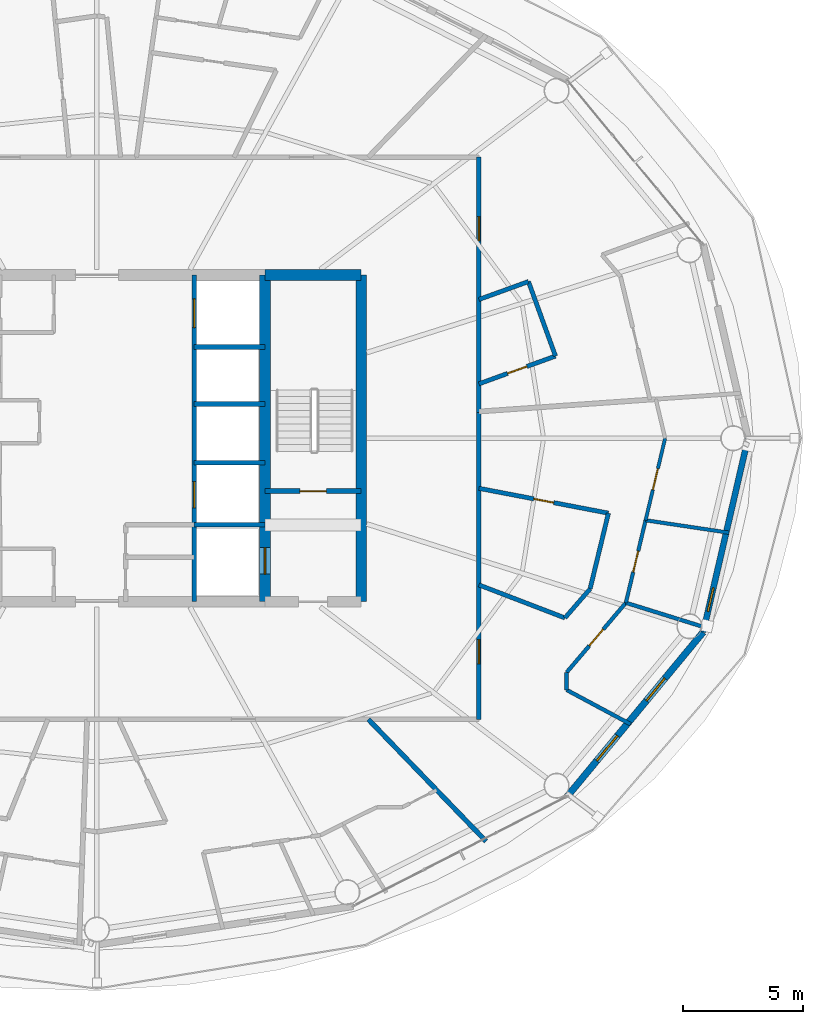
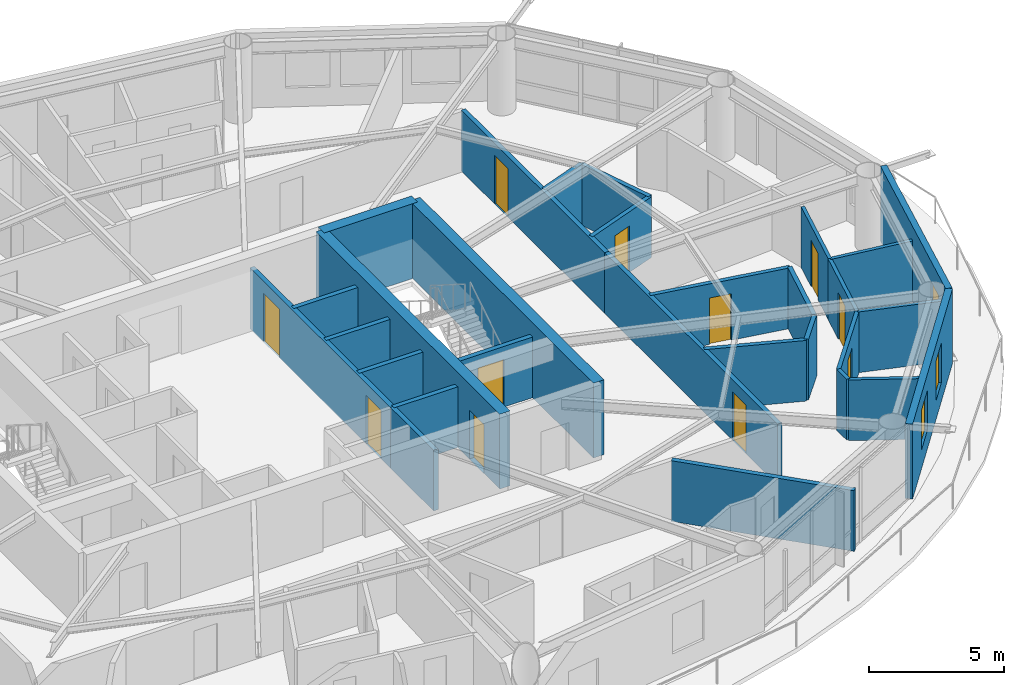
# One storey, part 23 of 28: 29 walls, 11 doors, 3 windows, 14 openings.
"""IFC4 building model written with IfcOpenShell, lengths in metres."""

import ifcopenshell
import ifcopenshell.guid

model = None  # the IFC model being written
_history = None  # IfcOwnerHistory: only IFC2X3 demands one
_inside = {}  # id of a spatial element -> (the spatial element, [elements in it])
_under = {}  # id of a project, library or spatial element -> (it, [spatial elements below it])
_declared = {}  # id of a project -> (the project, [libraries it declares])
_typed = {}  # id of a type object -> (the type object, [elements of that type])
_made_of = {}  # id of a material, layer set ... -> (it, [elements and type objects made of it])


def new_model(schema):
    """Start an empty IFC model of exactly this schema.

    Asked for "IFC4X3", IfcOpenShell would pick the latest addendum, in which some entities
    have other attributes; the version numbers below select the first issue.
    IFC2X3 requires an IfcOwnerHistory on every rooted entity: one is made here for all.
    """
    global model, _history
    if schema == "IFC4X3":
        model = ifcopenshell.file(schema_version=(4, 3, 0, 0))
    else:
        model = ifcopenshell.file(schema=schema)
    _inside.clear()
    _under.clear()
    _declared.clear()
    _typed.clear()
    _made_of.clear()
    _history = None
    if model.schema == "IFC2X3":
        org = make("IfcOrganization", Name="unknown")
        user = make(
            "IfcPersonAndOrganization",
            ThePerson=make("IfcPerson", FamilyName="unknown"),
            TheOrganization=org,
        )
        app = make(
            "IfcApplication",
            ApplicationDeveloper=org,
            Version="unknown",
            ApplicationFullName="unknown",
            ApplicationIdentifier="unknown",
        )
        _history = make(
            "IfcOwnerHistory",
            OwningUser=user,
            OwningApplication=app,
            ChangeAction="ADDED",
            CreationDate=0,
        )
    return model


def make(cls, **values):
    """One entity of the class cls with the attributes given. An attribute that is None is left unset."""
    return model.create_entity(
        cls, **{name: value for name, value in values.items() if value is not None}
    )


def rooted(cls, **values):
    """An entity with a GlobalId (a new one), such as an element, a storey or a relation."""
    return make(cls, GlobalId=ifcopenshell.guid.new(), OwnerHistory=_history, **values)


def si_unit(unit_type, name, prefix=None):
    """IfcSIUnit, for example si_unit("LENGTHUNIT", "METRE", prefix="MILLI")."""
    return make("IfcSIUnit", UnitType=unit_type, Prefix=prefix, Name=name)


def assignment(units):
    """IfcUnitAssignment: the units of a project."""
    return None if units is None else make("IfcUnitAssignment", Units=units)


def point(xyz):
    """IfcCartesianPoint."""
    return None if xyz is None else make("IfcCartesianPoint", Coordinates=xyz)


def direction(xyz):
    """IfcDirection."""
    return None if xyz is None else make("IfcDirection", DirectionRatios=xyz)


def frame(location, z_axis=None, x_axis=None):
    """IfcAxis2Placement3D, a coordinate frame: its origin and axes. An axis left out is left unset."""
    return make(
        "IfcAxis2Placement3D",
        Location=point(location),
        Axis=direction(z_axis),
        RefDirection=direction(x_axis),
    )


def frame_2d(location, x_axis=None):
    """IfcAxis2Placement2D, a coordinate frame in the plane: its origin and x axis."""
    return make(
        "IfcAxis2Placement2D", Location=point(location), RefDirection=direction(x_axis)
    )


def origin():
    """The frame at (0, 0, 0) with its axes left unset."""
    return frame((0.0, 0.0, 0.0))


def place(relative_to, where):
    """IfcLocalPlacement: puts the frame where relative to a parent placement (None: the world)."""
    return make(
        "IfcLocalPlacement", PlacementRelTo=relative_to, RelativePlacement=where
    )


def context(
    kind, dimensions, precision=None, world=None, true_north=None, identifier=None
):
    """IfcGeometricRepresentationContext, for example the 3D "Model" context."""
    return make(
        "IfcGeometricRepresentationContext",
        ContextIdentifier=identifier,
        ContextType=kind,
        CoordinateSpaceDimension=dimensions,
        Precision=precision,
        WorldCoordinateSystem=world,
        TrueNorth=true_north,
    )


def subcontext(parent, identifier, kind, view, scale=None):
    """IfcGeometricRepresentationSubContext, for example "Body" below "Model"."""
    return make(
        "IfcGeometricRepresentationSubContext",
        ContextIdentifier=identifier,
        ContextType=kind,
        ParentContext=parent,
        TargetScale=scale,
        TargetView=view,
    )


def project(units=None, contexts=None):
    """IfcProject with its units and contexts."""
    return rooted(
        "IfcProject",
        Name="project",
        RepresentationContexts=contexts,
        UnitsInContext=assignment(units),
    )


def spatial(cls, under=None, at=None, **own):
    """A site, building, storey or space (cls), placed at a placement, below another one or the project."""
    s = rooted(cls, ObjectPlacement=at, **own)
    if under is not None:
        _under.setdefault(under.id(), (under, []))[1].append(s)
    return s


def profile(cls, at=None, kind="AREA", **sizes):
    """A parametric profile (cls). Its sizes go by their IFC names, for example OverallWidth=200.0."""
    return make(cls, ProfileType=kind, Position=at, **sizes)


def rectangle(**sizes):
    """IfcRectangleProfileDef."""
    return profile("IfcRectangleProfileDef", **sizes)


def extrude(swept, where, along, depth):
    """IfcExtrudedAreaSolid: the profile swept, set in the frame where, extruded along a direction by depth."""
    return make(
        "IfcExtrudedAreaSolid",
        SweptArea=swept,
        Position=where,
        ExtrudedDirection=direction(along),
        Depth=depth,
    )


def shape(context_of_items, identifier, shape_type, items):
    """IfcShapeRepresentation: the items that make up one representation, for example the "Body"."""
    return make(
        "IfcShapeRepresentation",
        ContextOfItems=context_of_items,
        RepresentationIdentifier=identifier,
        RepresentationType=shape_type,
        Items=items,
    )


def material(Name=None, Category=None):
    """IfcMaterial."""
    return make("IfcMaterial", Name=Name, Category=Category)


def layer(
    of_material, thickness, ventilated=None, Name=None, Category=None, Priority=None
):
    """IfcMaterialLayer: one layer of a wall or slab, of a material (None: an air gap)."""
    return make(
        "IfcMaterialLayer",
        Material=of_material,
        LayerThickness=thickness,
        IsVentilated=ventilated,
        Name=Name,
        Category=Category,
        Priority=Priority,
    )


def layer_set(layers, Name=None):
    """IfcMaterialLayerSet."""
    return make("IfcMaterialLayerSet", MaterialLayers=layers, LayerSetName=Name)


def made_of(thing, what):
    """Note that an element or type object is made of a material, layer set ...; save() writes the relation."""
    if what is not None:
        _made_of.setdefault(what.id(), (what, []))[1].append(thing)
    return thing


def type_object(cls, material=None, **own):
    """A type object (cls), such as IfcWallType, which elements share."""
    return made_of(rooted(cls, **own), material)


def element(
    cls,
    number,
    at=None,
    inside=None,
    cuts=None,
    type_object=None,
    material=None,
    context=None,
    identifier="Body",
    shape_type=None,
    held_by="IfcProductDefinitionShape",
    body=None,
    shapes=None,
    **own,
):
    """One element of the class cls, such as IfcWall. Its Tag is "e" and its number.

    at: its placement. inside: the storey or other place that contains it. cuts: it is an
    opening in that element (IfcRelVoidsElement). A single representation is given by context,
    identifier, shape_type and body (its items); several are given by shapes. held_by: the class
    of the entity that holds the representations. save() writes the other relations.
    """
    e = rooted(cls, Tag="e%d" % number, ObjectPlacement=at, **own)
    if body is not None:
        shapes = [shape(context, identifier, shape_type, body)]
    if shapes is not None:
        e.Representation = make(held_by, Representations=shapes)
    if inside is not None:
        _inside.setdefault(inside.id(), (inside, []))[1].append(e)
    if cuts is not None:
        rooted(
            "IfcRelVoidsElement", RelatingBuildingElement=cuts, RelatedOpeningElement=e
        )
    if type_object is not None:
        _typed.setdefault(type_object.id(), (type_object, []))[1].append(e)
    return made_of(e, material)


def fill(opening, filler):
    """IfcRelFillsElement: the door or window that sits in an opening."""
    return rooted(
        "IfcRelFillsElement",
        RelatingOpeningElement=opening,
        RelatedBuildingElement=filler,
    )


def aggregate(whole, parts):
    """IfcRelAggregates: a whole, such as a stair, and the parts it consists of."""
    return rooted("IfcRelAggregates", RelatingObject=whole, RelatedObjects=parts)


def save(model, path):
    """Write the relations noted so far, then the file.

    IfcRelAggregates (storeys below a building ...), IfcRelContainedInSpatialStructure (elements
    in a storey), IfcRelDefinesByType, IfcRelAssociatesMaterial and IfcRelDeclares: one each for
    every whole, place, type object, material and project.
    """
    for whole, parts in _under.values():
        aggregate(whole, parts)
    for where, things in _inside.values():
        rooted(
            "IfcRelContainedInSpatialStructure",
            RelatedElements=things,
            RelatingStructure=where,
        )
    for kind, things in _typed.values():
        rooted("IfcRelDefinesByType", RelatedObjects=things, RelatingType=kind)
    for what, things in _made_of.values():
        rooted("IfcRelAssociatesMaterial", RelatedObjects=things, RelatingMaterial=what)
    for by, libraries in _declared.values():
        rooted("IfcRelDeclares", RelatingContext=by, RelatedDefinitions=libraries)
    model.write(path)


model = new_model("IFC4")

# Units and contexts
model_context = context("Model", 3, precision=1e-05, world=origin(), true_north=direction((0.0, 1.0)))
body_context = subcontext(model_context, "Body", "Model", "MODEL_VIEW")
ifc_project = project(units=[si_unit("LENGTHUNIT", "METRE"), si_unit("AREAUNIT", "SQUARE_METRE"), si_unit("VOLUMEUNIT", "CUBIC_METRE"), si_unit("PLANEANGLEUNIT", "RADIAN"), si_unit("MASSUNIT", "GRAM", prefix="KILO")], contexts=[model_context])

# Site, building, storey
site_placement = place(None, origin())
site = spatial("IfcSite", under=ifc_project, at=site_placement, CompositionType="ELEMENT")
building_placement = place(site_placement, origin())
building = spatial("IfcBuilding", under=site, at=building_placement, Name="Sarneth Arch Tower", CompositionType="ELEMENT")
storey_placement = place(building_placement, frame((0.0, 0.0, 154.199951171875)))
storey = spatial("IfcBuildingStorey", under=building, at=storey_placement, Name="L38", CompositionType="ELEMENT", Elevation=154.199951171875)

# Walls
ifc_material_1 = material(Name="Concrete C50/60", Category="concrete")
ifc_layer_1 = layer(ifc_material_1, 0.449951171875)
ifc_layer_set_1 = layer_set([ifc_layer_1], Name="Concrete C50/60")
wall_type_1 = type_object("IfcWallType", Name="WALL-CORE-450", PredefinedType="SHEAR", material=ifc_layer_set_1)
wall_1_placement = place(storey_placement, frame((55.0, 48.800048828125, 0.0), z_axis=(0.0, 0.0, 1.0), x_axis=(1.0, 0.0, 0.0)))
element("IfcWall", 1, at=wall_1_placement, inside=storey, type_object=wall_type_1, Name="L38 Core shear wall N-E", PredefinedType="SHEAR", context=body_context, shape_type="SweptSolid", body=[
    extrude(rectangle(XDim=4.0, YDim=0.449951171875, at=frame_2d((2.0, 0.0))), origin(), (0.0, 0.0, 1.0), 3.380126953125),
])
wall_2_placement = place(storey_placement, frame((59.0, 35.199951171875, 0.0), z_axis=(0.0, 0.0, 1.0), x_axis=(0.0, 1.0, 0.0)))
element("IfcWall", 2, at=wall_2_placement, inside=storey, type_object=wall_type_1, Name="L38 Core shear wall E", PredefinedType="SHEAR", context=body_context, shape_type="SweptSolid", body=[
    extrude(rectangle(XDim=13.60009765625, YDim=0.449951171875, at=frame_2d((6.800048828125, 0.0))), origin(), (0.0, 0.0, 1.0), 3.380126953125),
])

# Wall, opening, door
wall_3_placement = place(storey_placement, frame((55.0, 35.199951171875, 0.0), z_axis=(0.0, 0.0, 1.0), x_axis=(0.0, 1.0, 0.0)))
wall_3 = element("IfcWall", 3, at=wall_3_placement, inside=storey, type_object=wall_type_1, Name="L38 Core shear wall WEB-E", PredefinedType="SHEAR", context=body_context, shape_type="SweptSolid", body=[
    extrude(rectangle(XDim=13.60009765625, YDim=0.449951171875, at=frame_2d((6.800048828125, 0.0))), origin(), (0.0, 0.0, 1.0), 3.380126953125),
])
opening_1_placement = place(wall_3_placement, frame((1.14990234375, 0.0, 0.0)))
opening_1 = element("IfcOpeningElement", 4, at=opening_1_placement, cuts=wall_3, Name="Opening LD-1", PredefinedType="OPENING", context=body_context, shape_type="SweptSolid", body=[
    extrude(rectangle(XDim=1.10009765625, YDim=2.199951171875, at=frame_2d((0.550048828125, 1.10009765625))), frame((0.0, 0.23486328125, 0.0), z_axis=(0.0, -1.0, 0.0), x_axis=(1.0, 0.0, 0.0)), (0.0, 0.0, 1.0), 0.469970703125),
])
ifc_material_2 = material(Name="Brushed Stainless Steel 304 lift landing door", Category="steel")
door_type_1 = type_object("IfcDoorType", Name="DR-LIFT-SLIDE-1100", OperationType="SLIDING_TO_LEFT", PredefinedType="DOOR", material=ifc_material_2)
door_1_placement = place(opening_1_placement, origin())
door_1 = element("IfcDoor", 5, at=door_1_placement, inside=storey, type_object=door_type_1, Name="L38 Firefighting lift landing door FL-2", OperationType="SLIDING_TO_RIGHT", OverallHeight=2.199951171875, OverallWidth=1.10009765625, PredefinedType="DOOR", context=body_context, shape_type="SweptSolid", body=[
    extrude(rectangle(XDim=1.10009765625, YDim=2.199951171875, at=frame_2d((0.550048828125, 1.10009765625))), frame((0.0, 0.02490234375, 0.0), z_axis=(0.0, -1.0, 0.0), x_axis=(1.0, 0.0, 0.0)), (0.0, 0.0, 1.0), 0.050048828125),
])
fill(opening_1, door_1)

ifc_material_3 = material(Name="Double steel-stud corridor fire wall", Category="steel")
ifc_layer_2 = layer(ifc_material_3, 0.18994140625)
ifc_layer_set_2 = layer_set([ifc_layer_2], Name="Double steel-stud corridor fire wall")
wall_type_2 = type_object("IfcWallType", Name="WALL-CORR-190", PredefinedType="PARTITIONING", material=ifc_layer_set_2)
wall_4_placement = place(storey_placement, frame((63.89990234375, 53.699951171875, 0.0), z_axis=(0.0, 0.0, 1.0), x_axis=(0.0, -1.0, 0.0)))
wall_4 = element("IfcWall", 6, at=wall_4_placement, inside=storey, type_object=wall_type_2, Name="L38 Interior partition W-L38-TP-002", PredefinedType="PARTITIONING", context=body_context, shape_type="SweptSolid", body=[
    extrude(rectangle(XDim=10.620361328125, YDim=0.18994140625, at=frame_2d((5.31005859375, 0.0))), origin(), (0.0, 0.0, 1.0), 2.739990234375),
])
opening_2_placement = place(wall_4_placement, frame((2.479736328125, 0.0, 0.0)))
opening_2 = element("IfcOpeningElement", 7, at=opening_2_placement, cuts=wall_4, Name="Opening FD-08", PredefinedType="OPENING", context=body_context, shape_type="SweptSolid", body=[
    extrude(rectangle(XDim=1.0, YDim=2.199951171875, at=frame_2d((0.5, 1.10009765625))), frame((0.0, 0.10498046875, 0.0), z_axis=(0.0, -1.0, 0.0), x_axis=(1.0, 0.0, 0.0)), (0.0, 0.0, 1.0), 0.2099609375),
])
ifc_material_4 = material(Name="Hardwood timber acoustic fire door", Category="wood")
door_type_2 = type_object("IfcDoorType", Name="DR-FD60-1000", OperationType="SINGLE_SWING_LEFT", PredefinedType="DOOR", material=ifc_material_4)
door_2_placement = place(opening_2_placement, origin())
door_2 = element("IfcDoor", 8, at=door_2_placement, inside=storey, type_object=door_type_2, Name="L38 Interior door DR-L38-U1-ENT", OperationType="SINGLE_SWING_LEFT", OverallHeight=2.199951171875, OverallWidth=1.0, PredefinedType="DOOR", context=body_context, shape_type="SweptSolid", body=[
    extrude(rectangle(XDim=1.0, YDim=2.199951171875, at=frame_2d((0.5, 1.10009765625))), frame((0.0, 0.02490234375, 0.0), z_axis=(0.0, -1.0, 0.0), x_axis=(1.0, 0.0, 0.0)), (0.0, 0.0, 1.0), 0.050048828125),
])
fill(opening_2, door_2)

wall_5_placement = place(storey_placement, frame((63.89990234375, 43.143798828125, 0.0), z_axis=(0.0, 0.0, 1.0), x_axis=(0.0, -1.0, 0.0)))
wall_5 = element("IfcWall", 9, at=wall_5_placement, inside=storey, type_object=wall_type_2, Name="L38 Interior partition W-L38-TP-023", PredefinedType="PARTITIONING", context=body_context, shape_type="SweptSolid", body=[
    extrude(rectangle(XDim=12.84375, YDim=0.18994140625, at=frame_2d((6.421875, 0.0))), origin(), (0.0, 0.0, 1.0), 2.739990234375),
])
opening_3_placement = place(wall_5_placement, frame((9.528564453125, 0.0, 0.0)))
opening_3 = element("IfcOpeningElement", 10, at=opening_3_placement, cuts=wall_5, Name="Opening FD-08", PredefinedType="OPENING", context=body_context, shape_type="SweptSolid", body=[
    extrude(rectangle(XDim=1.0, YDim=2.199951171875, at=frame_2d((0.5, 1.10009765625))), frame((0.0, 0.10498046875, 0.0), z_axis=(0.0, -1.0, 0.0), x_axis=(1.0, 0.0, 0.0)), (0.0, 0.0, 1.0), 0.2099609375),
])
door_3_placement = place(opening_3_placement, origin())
door_3 = element("IfcDoor", 11, at=door_3_placement, inside=storey, type_object=door_type_2, Name="L38 Interior door DR-L38-U8-ENT", OperationType="SINGLE_SWING_LEFT", OverallHeight=2.199951171875, OverallWidth=1.0, PredefinedType="DOOR", context=body_context, shape_type="SweptSolid", body=[
    extrude(rectangle(XDim=1.0, YDim=2.199951171875, at=frame_2d((0.5, 1.10009765625))), frame((0.0, 0.02490234375, 0.0), z_axis=(0.0, -1.0, 0.0), x_axis=(1.0, 0.0, 0.0)), (0.0, 0.0, 1.0), 0.050048828125),
])
fill(opening_3, door_3)

# Wall, opening, window
ifc_material_5 = material(Name="Extruded terracotta rainscreen on Concrete C40/50 backing", Category="masonry")
ifc_layer_3 = layer(ifc_material_5, 0.25)
ifc_layer_set_3 = layer_set([ifc_layer_3], Name="Extruded terracotta rainscreen on Concrete C40/50 backing")
wall_type_3 = type_object("IfcWallType", Name="WALL-EXT-SPAND-250", PredefinedType="SOLIDWALL", material=ifc_layer_set_3)
wall_6_placement = place(storey_placement, frame((73.232421875, 33.93310546875, 0.0), z_axis=(0.0, 0.0, 1.0), x_axis=(0.225473184558, 0.974249374157, 0.0)))
wall_6 = element("IfcWall", 12, at=wall_6_placement, inside=storey, type_object=wall_type_3, Name="L38 Terracotta perimeter wall 16", PredefinedType="SOLIDWALL", context=body_context, shape_type="SweptSolid", body=[
    extrude(rectangle(XDim=8.280029296875, YDim=0.25, at=frame_2d((4.14013671875, 0.0))), origin(), (0.0, 0.0, 1.0), 3.380126953125),
])
opening_4_placement = place(wall_6_placement, frame((0.88623046875, 0.0, 1.419921875)))
opening_4 = element("IfcOpeningElement", 13, at=opening_4_placement, cuts=wall_6, Name="Opening W-14", PredefinedType="OPENING", context=body_context, shape_type="SweptSolid", body=[
    extrude(rectangle(XDim=1.0, YDim=1.050048828125, at=frame_2d((0.5, 0.52490234375))), frame((0.0, 0.135009765625, 0.0), z_axis=(0.0, -1.0, 0.0), x_axis=(1.0, 0.0, 0.0)), (0.0, 0.0, 1.0), 0.27001953125),
])
ifc_material_6 = material(Name="Thermally broken Aluminium 6063-T6 and low-e laminated IGU", Category="aluminium")
window_type_1 = type_object("IfcWindowType", Name="WIN-TWR-1000x1050", PartitioningType="SINGLE_PANEL", PredefinedType="WINDOW", material=ifc_material_6)
window_1_placement = place(opening_4_placement, origin())
window_1 = element("IfcWindow", 14, at=window_1_placement, inside=storey, type_object=window_type_1, Name="L38 Dwelling bedroom window 04", OverallHeight=1.050048828125, OverallWidth=1.0, PartitioningType="SINGLE_PANEL", PredefinedType="WINDOW", context=body_context, shape_type="SweptSolid", body=[
    extrude(rectangle(XDim=1.0, YDim=1.050048828125, at=frame_2d((0.5, 0.52490234375))), frame((0.0, 0.030029296875, 0.0), z_axis=(0.0, -1.0, 0.0), x_axis=(1.0, 0.0, 0.0)), (0.0, 0.0, 1.0), 0.06005859375),
])
fill(opening_4, window_1)

# Wall, openings, windows
ifc_material_7 = material(Name="Extruded terracotta rainscreen on Concrete C40/50 backing", Category="masonry")
ifc_layer_4 = layer(ifc_material_7, 0.280029296875)
ifc_layer_set_4 = layer_set([ifc_layer_4], Name="Extruded terracotta rainscreen on Concrete C40/50 backing")
wall_type_4 = type_object("IfcWallType", Name="WALL-EXT-TERRA-280", PredefinedType="SOLIDWALL", material=ifc_layer_set_4)
wall_7_placement = place(storey_placement, frame((67.576171875, 27.09423828125, 0.0), z_axis=(0.0, 0.0, 1.0), x_axis=(0.637333477683, 0.770588111915, 0.0)))
wall_7 = element("IfcWall", 15, at=wall_7_placement, inside=storey, type_object=wall_type_4, Name="L38 Terracotta perimeter wall 15", PredefinedType="SOLIDWALL", context=body_context, shape_type="SweptSolid", body=[
    extrude(rectangle(XDim=8.874755859375, YDim=0.280029296875, at=frame_2d((4.4375, 0.0))), origin(), (0.0, 0.0, 1.0), 3.380126953125),
])
opening_5_placement = place(wall_7_placement, frame((1.9287109375, 0.0, 0.85009765625)))
opening_5 = element("IfcOpeningElement", 16, at=opening_5_placement, cuts=wall_7, Name="Opening W-08", PredefinedType="OPENING", context=body_context, shape_type="SweptSolid", body=[
    extrude(rectangle(XDim=1.35009765625, YDim=1.800048828125, at=frame_2d((0.675048828125, 0.89990234375))), frame((0.0, 0.14990234375, 0.0), z_axis=(0.0, -1.0, 0.0), x_axis=(1.0, 0.0, 0.0)), (0.0, 0.0, 1.0), 0.300048828125),
])
opening_6_placement = place(wall_7_placement, frame((5.171630859375, 0.0, 0.85009765625)))
opening_6 = element("IfcOpeningElement", 17, at=opening_6_placement, cuts=wall_7, Name="Opening W-09", PredefinedType="OPENING", context=body_context, shape_type="SweptSolid", body=[
    extrude(rectangle(XDim=1.199951171875, YDim=1.800048828125, at=frame_2d((0.60009765625, 0.89990234375))), frame((0.0, 0.14990234375, 0.0), z_axis=(0.0, -1.0, 0.0), x_axis=(1.0, 0.0, 0.0)), (0.0, 0.0, 1.0), 0.300048828125),
])
ifc_material_8 = material(Name="Thermally broken Aluminium 6063-T6 and low-e laminated IGU", Category="aluminium")
window_type_2 = type_object("IfcWindowType", Name="WIN-TWR-1200x1800", PartitioningType="SINGLE_PANEL", PredefinedType="WINDOW", material=ifc_material_8)
window_2_placement = place(opening_6_placement, origin())
window_2 = element("IfcWindow", 18, at=window_2_placement, inside=storey, type_object=window_type_2, Name="L38 Exterior window 15B", OverallHeight=1.800048828125, OverallWidth=1.199951171875, PartitioningType="SINGLE_PANEL", PredefinedType="WINDOW", context=body_context, shape_type="SweptSolid", body=[
    extrude(rectangle(XDim=1.199951171875, YDim=1.800048828125, at=frame_2d((0.60009765625, 0.89990234375))), frame((0.0, 0.030029296875, 0.0), z_axis=(0.0, -1.0, 0.0), x_axis=(1.0, 0.0, 0.0)), (0.0, 0.0, 1.0), 0.06005859375),
])
fill(opening_6, window_2)
ifc_material_9 = material(Name="Thermally broken Aluminium 6063-T6 and low-e laminated IGU", Category="aluminium")
window_type_3 = type_object("IfcWindowType", Name="WIN-TWR-1350x1800", PartitioningType="SINGLE_PANEL", PredefinedType="WINDOW", material=ifc_material_9)
window_3_placement = place(opening_5_placement, origin())
window_3 = element("IfcWindow", 19, at=window_3_placement, inside=storey, type_object=window_type_3, Name="L38 Exterior window 15A", OverallHeight=1.800048828125, OverallWidth=1.35009765625, PartitioningType="SINGLE_PANEL", PredefinedType="WINDOW", context=body_context, shape_type="SweptSolid", body=[
    extrude(rectangle(XDim=1.35009765625, YDim=1.800048828125, at=frame_2d((0.675048828125, 0.89990234375))), frame((0.0, 0.030029296875, 0.0), z_axis=(0.0, -1.0, 0.0), x_axis=(1.0, 0.0, 0.0)), (0.0, 0.0, 1.0), 0.06005859375),
])
fill(opening_5, window_3)

# Wall, opening, door
ifc_material_10 = material(Name="Apartment internal stud partition", Category="gypsum")
ifc_layer_5 = layer(ifc_material_10, 0.139892578125)
ifc_layer_set_5 = layer_set([ifc_layer_5], Name="Apartment internal stud partition")
wall_type_5 = type_object("IfcWallType", Name="WALL-PART-140", PredefinedType="PARTITIONING", material=ifc_layer_set_5)
wall_8_placement = place(storey_placement, frame((70.836181640625, 38.587158203125, 0.0), z_axis=(0.0, 0.0, 1.0), x_axis=(0.231598574747, 0.972811441223, 0.0)))
wall_8 = element("IfcWall", 20, at=wall_8_placement, inside=storey, type_object=wall_type_5, Name="L38 Interior partition W-L38-TP-109", PredefinedType="PARTITIONING", context=body_context, shape_type="SweptSolid", body=[
    extrude(rectangle(XDim=3.50830078125, YDim=0.139892578125, at=frame_2d((1.754150390625, 0.0))), origin(), (0.0, 0.0, 1.0), 2.739990234375),
])
opening_7_placement = place(wall_8_placement, frame((1.30419921875, 0.0, 0.0)))
opening_7 = element("IfcOpeningElement", 21, at=opening_7_placement, cuts=wall_8, Name="Opening ID-01", PredefinedType="OPENING", context=body_context, shape_type="SweptSolid", body=[
    extrude(rectangle(XDim=0.89990234375, YDim=2.10009765625, at=frame_2d((0.449951171875, 1.050048828125))), frame((0.0, 0.079833984375, 0.0), z_axis=(0.0, -1.0, 0.0), x_axis=(1.0, 0.0, 0.0)), (0.0, 0.0, 1.0), 0.159912109375),
])
ifc_material_11 = material(Name="Engineered hardwood flush door", Category="wood")
door_type_3 = type_object("IfcDoorType", Name="DR-INT-900", OperationType="SINGLE_SWING_LEFT", PredefinedType="DOOR", material=ifc_material_11)
door_4_placement = place(opening_7_placement, origin())
door_4 = element("IfcDoor", 22, at=door_4_placement, inside=storey, type_object=door_type_3, Name="L38 Interior door DR-L38-U8-BED2", OperationType="SINGLE_SWING_LEFT", OverallHeight=2.10009765625, OverallWidth=0.89990234375, PredefinedType="DOOR", context=body_context, shape_type="SweptSolid", body=[
    extrude(rectangle(XDim=0.89990234375, YDim=2.10009765625, at=frame_2d((0.449951171875, 1.050048828125))), frame((0.0, 0.02490234375, 0.0), z_axis=(0.0, -1.0, 0.0), x_axis=(1.0, 0.0, 0.0)), (0.0, 0.0, 1.0), 0.050048828125),
])
fill(opening_7, door_4)

ifc_material_12 = material(Name="Acoustic gypsum stud partition", Category="gypsum")
ifc_layer_6 = layer(ifc_material_12, 0.14990234375)
ifc_layer_set_6 = layer_set([ifc_layer_6], Name="Acoustic gypsum stud partition")
wall_type_6 = type_object("IfcWallType", Name="WALL-PART-150", PredefinedType="PARTITIONING", material=ifc_layer_set_6)
wall_9_placement = place(storey_placement, frame((70.015380859375, 35.15283203125, 0.0), z_axis=(0.0, 0.0, 1.0), x_axis=(0.232452361323, 0.972607783084, 0.0)))
wall_9 = element("IfcWall", 23, at=wall_9_placement, inside=storey, type_object=wall_type_6, Name="L38 Interior partition W-L38-TP-108", PredefinedType="PARTITIONING", context=body_context, shape_type="SweptSolid", body=[
    extrude(rectangle(XDim=3.531005859375, YDim=0.14990234375, at=frame_2d((1.765625, 0.0))), origin(), (0.0, 0.0, 1.0), 2.739990234375),
])
opening_8_placement = place(wall_9_placement, frame((1.3154296875, 0.0, 0.0)))
opening_8 = element("IfcOpeningElement", 24, at=opening_8_placement, cuts=wall_9, Name="Opening ID-01", PredefinedType="OPENING", context=body_context, shape_type="SweptSolid", body=[
    extrude(rectangle(XDim=0.89990234375, YDim=2.10009765625, at=frame_2d((0.449951171875, 1.050048828125))), frame((0.0, 0.0849609375, 0.0), z_axis=(0.0, -1.0, 0.0), x_axis=(1.0, 0.0, 0.0)), (0.0, 0.0, 1.0), 0.169921875),
])
door_5_placement = place(opening_8_placement, origin())
door_5 = element("IfcDoor", 25, at=door_5_placement, inside=storey, type_object=door_type_3, Name="L38 Interior door DR-L38-U8-BED1", OperationType="SINGLE_SWING_RIGHT", OverallHeight=2.10009765625, OverallWidth=0.89990234375, PredefinedType="DOOR", context=body_context, shape_type="SweptSolid", body=[
    extrude(rectangle(XDim=0.89990234375, YDim=2.10009765625, at=frame_2d((0.449951171875, 1.050048828125))), frame((0.0, 0.02490234375, 0.0), z_axis=(0.0, -1.0, 0.0), x_axis=(1.0, 0.0, 0.0)), (0.0, 0.0, 1.0), 0.050048828125),
])
fill(opening_8, door_5)

# Wall
wall_10_placement = place(storey_placement, frame((74.31201171875, 38.067626953125, 0.0), z_axis=(0.0, 0.0, 1.0), x_axis=(-0.989013160958, 0.147827492205, 0.0)))
element("IfcWall", 26, at=wall_10_placement, inside=storey, type_object=wall_type_6, Name="L38 Interior partition W-L38-TP-112", PredefinedType="PARTITIONING", context=body_context, shape_type="SweptSolid", body=[
    extrude(rectangle(XDim=3.514404296875, YDim=0.14990234375, at=frame_2d((1.75732421875, 0.0))), origin(), (0.0, 0.0, 1.0), 2.739990234375),
])

# Wall, opening, door
ifc_material_13 = material(Name="Kitchen wet service chase wall", Category="gypsum")
ifc_layer_7 = layer(ifc_material_13, 0.159912109375)
ifc_layer_set_7 = layer_set([ifc_layer_7], Name="Kitchen wet service chase wall")
wall_type_7 = type_object("IfcWallType", Name="WALL-PLUMB-160", PredefinedType="PLUMBINGWALL", material=ifc_layer_set_7)
wall_11_placement = place(storey_placement, frame((67.550048828125, 32.255615234375, 0.0), z_axis=(0.0, 0.0, 1.0), x_axis=(0.648060027494, 0.76158925988, 0.0)))
wall_11 = element("IfcWall", 27, at=wall_11_placement, inside=storey, type_object=wall_type_7, Name="L38 Interior partition W-L38-TP-103", PredefinedType="PLUMBINGWALL", context=body_context, shape_type="SweptSolid", body=[
    extrude(rectangle(XDim=3.80419921875, YDim=0.159912109375, at=frame_2d((1.902099609375, 0.0))), origin(), (0.0, 0.0, 1.0), 2.739990234375),
])
opening_9_placement = place(wall_11_placement, frame((1.4521484375, 0.0, 0.0)))
opening_9 = element("IfcOpeningElement", 28, at=opening_9_placement, cuts=wall_11, Name="Opening ID-01", PredefinedType="OPENING", context=body_context, shape_type="SweptSolid", body=[
    extrude(rectangle(XDim=0.89990234375, YDim=2.10009765625, at=frame_2d((0.449951171875, 1.050048828125))), frame((0.0, 0.08984375, 0.0), z_axis=(0.0, -1.0, 0.0), x_axis=(1.0, 0.0, 0.0)), (0.0, 0.0, 1.0), 0.179931640625),
])
door_6_placement = place(opening_9_placement, origin())
door_6 = element("IfcDoor", 29, at=door_6_placement, inside=storey, type_object=door_type_3, Name="L38 Interior door DR-L38-U8-KIT", OperationType="SINGLE_SWING_LEFT", OverallHeight=2.10009765625, OverallWidth=0.89990234375, PredefinedType="DOOR", context=body_context, shape_type="SweptSolid", body=[
    extrude(rectangle(XDim=0.89990234375, YDim=2.10009765625, at=frame_2d((0.449951171875, 1.050048828125))), frame((0.0, 0.02490234375, 0.0), z_axis=(0.0, -1.0, 0.0), x_axis=(1.0, 0.0, 0.0)), (0.0, 0.0, 1.0), 0.050048828125),
])
fill(opening_9, door_6)

# Walls
wall_12_placement = place(storey_placement, frame((70.015380859375, 35.15283203125, 0.0), z_axis=(0.0, 0.0, 1.0), x_axis=(0.954891562425, -0.296954717101, 0.0)))
element("IfcWall", 30, at=wall_12_placement, inside=storey, type_object=wall_type_7, Name="L38 Interior partition W-L38-TP-111", PredefinedType="PLUMBINGWALL", context=body_context, shape_type="SweptSolid", body=[
    extrude(rectangle(XDim=3.53857421875, YDim=0.159912109375, at=frame_2d((1.769287109375, 0.0))), origin(), (0.0, 0.0, 1.0), 2.739990234375),
])
wall_13_placement = place(storey_placement, frame((70.213623046875, 30.0986328125, 0.0), z_axis=(0.0, 0.0, 1.0), x_axis=(-0.881434325569, 0.472306605616, 0.0)))
element("IfcWall", 31, at=wall_13_placement, inside=storey, type_object=wall_type_7, Name="L38 Interior partition W-L38-TP-101", PredefinedType="PLUMBINGWALL", context=body_context, shape_type="SweptSolid", body=[
    extrude(rectangle(XDim=3.02197265625, YDim=0.159912109375, at=frame_2d((1.510986328125, 0.0))), origin(), (0.0, 0.0, 1.0), 2.739990234375),
])
wall_14_placement = place(storey_placement, frame((67.550048828125, 31.52587890625, 0.0), z_axis=(0.0, 0.0, 1.0), x_axis=(0.0, 1.0, 0.0)))
element("IfcWall", 32, at=wall_14_placement, inside=storey, type_object=wall_type_7, Name="L38 Interior partition W-L38-TP-102", PredefinedType="PLUMBINGWALL", context=body_context, shape_type="SweptSolid", body=[
    extrude(rectangle(XDim=0.729736328125, YDim=0.159912109375, at=frame_2d((0.36474609375, 0.0))), origin(), (0.0, 0.0, 1.0), 2.739990234375),
])

# Wall, opening, door
ifc_material_14 = material(Name="Moisture-resistant plumbing chase wall", Category="gypsum")
ifc_layer_8 = layer(ifc_material_14, 0.179931640625)
ifc_layer_set_8 = layer_set([ifc_layer_8], Name="Moisture-resistant plumbing chase wall")
wall_type_8 = type_object("IfcWallType", Name="WALL-PLUMB-180", PredefinedType="PLUMBINGWALL", material=ifc_layer_set_8)
wall_15_placement = place(storey_placement, frame((69.289794921875, 38.8828125, 0.0), z_axis=(0.0, 0.0, 1.0), x_axis=(-0.98210182834, 0.188350733396, 0.0)))
wall_15 = element("IfcWall", 33, at=wall_15_placement, inside=storey, type_object=wall_type_8, Name="L38 Interior partition W-L38-TP-107", PredefinedType="PLUMBINGWALL", context=body_context, shape_type="SweptSolid", body=[
    extrude(rectangle(XDim=5.488037109375, YDim=0.179931640625, at=frame_2d((2.744140625, 0.0))), origin(), (0.0, 0.0, 1.0), 2.739990234375),
])
opening_10_placement = place(wall_15_placement, frame((2.319091796875, 0.0, 0.0)))
opening_10 = element("IfcOpeningElement", 34, at=opening_10_placement, cuts=wall_15, Name="Opening ID-02", PredefinedType="OPENING", context=body_context, shape_type="SweptSolid", body=[
    extrude(rectangle(XDim=0.85009765625, YDim=2.10009765625, at=frame_2d((0.425048828125, 1.050048828125))), frame((0.0, 0.099853515625, 0.0), z_axis=(0.0, -1.0, 0.0), x_axis=(1.0, 0.0, 0.0)), (0.0, 0.0, 1.0), 0.199951171875),
])
ifc_material_15 = material(Name="Moisture-resistant bathroom timber door", Category="wood")
door_type_4 = type_object("IfcDoorType", Name="DR-INT-850", OperationType="SINGLE_SWING_RIGHT", PredefinedType="DOOR", material=ifc_material_15)
door_7_placement = place(opening_10_placement, origin())
door_7 = element("IfcDoor", 35, at=door_7_placement, inside=storey, type_object=door_type_4, Name="L38 Interior door DR-L38-U8-BATH", OperationType="SINGLE_SWING_RIGHT", OverallHeight=2.10009765625, OverallWidth=0.85009765625, PredefinedType="DOOR", context=body_context, shape_type="SweptSolid", body=[
    extrude(rectangle(XDim=0.85009765625, YDim=2.10009765625, at=frame_2d((0.425048828125, 1.050048828125))), frame((0.0, 0.02490234375, 0.0), z_axis=(0.0, -1.0, 0.0), x_axis=(1.0, 0.0, 0.0)), (0.0, 0.0, 1.0), 0.050048828125),
])
fill(opening_10, door_7)

# Wall
wall_16_placement = place(storey_placement, frame((63.89990234375, 35.896484375, 0.0), z_axis=(0.0, 0.0, 1.0), x_axis=(0.933598121494, -0.3583218491, 0.0)))
element("IfcWall", 36, at=wall_16_placement, inside=storey, type_object=wall_type_8, Name="L38 Interior partition W-L38-TP-104", PredefinedType="PLUMBINGWALL", context=body_context, shape_type="SweptSolid", body=[
    extrude(rectangle(XDim=3.833984375, YDim=0.179931640625, at=frame_2d((1.9169921875, 0.0))), origin(), (0.0, 0.0, 1.0), 2.739990234375),
])

# Wall, opening, door
wall_17_placement = place(storey_placement, frame((63.89990234375, 44.26416015625, 0.0), z_axis=(0.0, 0.0, 1.0), x_axis=(0.939936319397, 0.341349843238, 0.0)))
wall_17 = element("IfcWall", 37, at=wall_17_placement, inside=storey, type_object=wall_type_8, Name="L38 Interior partition W-L38-TP-027", PredefinedType="PLUMBINGWALL", context=body_context, shape_type="SweptSolid", body=[
    extrude(rectangle(XDim=3.39013671875, YDim=0.179931640625, at=frame_2d((1.695068359375, 0.0))), origin(), (0.0, 0.0, 1.0), 2.739990234375),
])
opening_11_placement = place(wall_17_placement, frame((1.27001953125, 0.0, 0.0)))
opening_11 = element("IfcOpeningElement", 38, at=opening_11_placement, cuts=wall_17, Name="Opening ID-02", PredefinedType="OPENING", context=body_context, shape_type="SweptSolid", body=[
    extrude(rectangle(XDim=0.85009765625, YDim=2.10009765625, at=frame_2d((0.425048828125, 1.050048828125))), frame((0.0, 0.099853515625, 0.0), z_axis=(0.0, -1.0, 0.0), x_axis=(1.0, 0.0, 0.0)), (0.0, 0.0, 1.0), 0.199951171875),
])
door_8_placement = place(opening_11_placement, origin())
door_8 = element("IfcDoor", 39, at=door_8_placement, inside=storey, type_object=door_type_4, Name="L38 Interior door DR-L38-U1-BATH", OperationType="SINGLE_SWING_LEFT", OverallHeight=2.10009765625, OverallWidth=0.85009765625, PredefinedType="DOOR", context=body_context, shape_type="SweptSolid", body=[
    extrude(rectangle(XDim=0.85009765625, YDim=2.10009765625, at=frame_2d((0.425048828125, 1.050048828125))), frame((0.0, 0.02490234375, 0.0), z_axis=(0.0, -1.0, 0.0), x_axis=(1.0, 0.0, 0.0)), (0.0, 0.0, 1.0), 0.050048828125),
])
fill(opening_11, door_8)

# Walls
wall_18_placement = place(storey_placement, frame((67.08642578125, 45.42138671875, 0.0), z_axis=(0.0, 0.0, 1.0), x_axis=(-0.341333094487, 0.93994240175, 0.0)))
element("IfcWall", 40, at=wall_18_placement, inside=storey, type_object=wall_type_8, Name="L38 Interior partition W-L38-TP-028", PredefinedType="PLUMBINGWALL", context=body_context, shape_type="SweptSolid", body=[
    extrude(rectangle(XDim=3.299560546875, YDim=0.179931640625, at=frame_2d((1.64990234375, 0.0))), origin(), (0.0, 0.0, 1.0), 2.739990234375),
])
wall_19_placement = place(storey_placement, frame((68.526123046875, 35.731689453125, 0.0), z_axis=(0.0, 0.0, 1.0), x_axis=(0.235531062042, 0.971866821541, 0.0)))
element("IfcWall", 41, at=wall_19_placement, inside=storey, type_object=wall_type_8, Name="L38 Interior partition W-L38-TP-106", PredefinedType="PLUMBINGWALL", context=body_context, shape_type="SweptSolid", body=[
    extrude(rectangle(XDim=3.242431640625, YDim=0.179931640625, at=frame_2d((1.62109375, 0.0))), origin(), (0.0, 0.0, 1.0), 2.739990234375),
])
wall_20_placement = place(storey_placement, frame((65.960205078125, 48.522705078125, 0.0), z_axis=(0.0, 0.0, 1.0), x_axis=(-0.939962415694, -0.341277976263, 0.0)))
element("IfcWall", 42, at=wall_20_placement, inside=storey, type_object=wall_type_8, Name="L38 Interior partition W-L38-TP-029", PredefinedType="PLUMBINGWALL", context=body_context, shape_type="SweptSolid", body=[
    extrude(rectangle(XDim=2.19189453125, YDim=0.179931640625, at=frame_2d((1.095947265625, 0.0))), origin(), (0.0, 0.0, 1.0), 2.739990234375),
])
wall_21_placement = place(storey_placement, frame((67.479248046875, 34.522705078125, 0.0), z_axis=(0.0, 0.0, 1.0), x_axis=(0.654605010187, 0.755971084525, 0.0)))
element("IfcWall", 43, at=wall_21_placement, inside=storey, type_object=wall_type_8, Name="L38 Interior partition W-L38-TP-105", PredefinedType="PLUMBINGWALL", context=body_context, shape_type="SweptSolid", body=[
    extrude(rectangle(XDim=1.599365234375, YDim=0.179931640625, at=frame_2d((0.7998046875, 0.0))), origin(), (0.0, 0.0, 1.0), 2.739990234375),
])

# Wall, opening, door
ifc_material_16 = material(Name="Aerated concrete blockwork C25/30", Category="masonry")
ifc_layer_9 = layer(ifc_material_16, 0.199951171875)
ifc_layer_set_9 = layer_set([ifc_layer_9], Name="Aerated concrete blockwork C25/30")
wall_type_9 = type_object("IfcWallType", Name="WALL-SHAFT-200", PredefinedType="SOLIDWALL", material=ifc_layer_set_9)
wall_22_placement = place(storey_placement, frame((55.0, 39.800048828125, 0.0), z_axis=(0.0, 0.0, 1.0), x_axis=(1.0, 0.0, 0.0)))
wall_22 = element("IfcWall", 44, at=wall_22_placement, inside=storey, type_object=wall_type_9, Name="L38 Interior partition W-L38-ST2-S", PredefinedType="SOLIDWALL", context=body_context, shape_type="SweptSolid", body=[
    extrude(rectangle(XDim=4.0, YDim=0.199951171875, at=frame_2d((2.0, 0.0))), origin(), (0.0, 0.0, 1.0), 2.739990234375),
])
opening_12_placement = place(wall_22_placement, frame((1.449951171875, 0.0, 0.0)))
opening_12 = element("IfcOpeningElement", 45, at=opening_12_placement, cuts=wall_22, Name="Opening FD-03", PredefinedType="OPENING", context=body_context, shape_type="SweptSolid", body=[
    extrude(rectangle(XDim=1.10009765625, YDim=2.14990234375, at=frame_2d((0.550048828125, 1.074951171875))), frame((0.0, 0.10986328125, 0.0), z_axis=(0.0, -1.0, 0.0), x_axis=(1.0, 0.0, 0.0)), (0.0, 0.0, 1.0), 0.219970703125),
])
ifc_material_17 = material(Name="Galvanised Steel S275 fire door set", Category="steel")
door_type_5 = type_object("IfcDoorType", Name="DR-FD90-1100", OperationType="SINGLE_SWING_LEFT", PredefinedType="DOOR", material=ifc_material_17)
door_9_placement = place(opening_12_placement, origin())
door_9 = element("IfcDoor", 46, at=door_9_placement, inside=storey, type_object=door_type_5, Name="L38 Interior door DR-L38-ST2", OperationType="SINGLE_SWING_RIGHT", OverallHeight=2.14990234375, OverallWidth=1.10009765625, PredefinedType="DOOR", context=body_context, shape_type="SweptSolid", body=[
    extrude(rectangle(XDim=1.10009765625, YDim=2.14990234375, at=frame_2d((0.550048828125, 1.074951171875))), frame((0.0, 0.02490234375, 0.0), z_axis=(0.0, -1.0, 0.0), x_axis=(1.0, 0.0, 0.0)), (0.0, 0.0, 1.0), 0.050048828125),
])
fill(opening_12, door_9)

# Walls
wall_23_placement = place(storey_placement, frame((52.050048828125, 35.199951171875, 0.0), z_axis=(0.0, 0.0, 1.0), x_axis=(0.0, 1.0, 0.0)))
element("IfcWall", 47, at=wall_23_placement, inside=storey, type_object=wall_type_9, Name="L38 Interior partition W-L38-FL2-W", PredefinedType="SOLIDWALL", context=body_context, shape_type="SweptSolid", body=[
    extrude(rectangle(XDim=3.199951171875, YDim=0.199951171875, at=frame_2d((1.60009765625, 0.0))), origin(), (0.0, 0.0, 1.0), 2.739990234375),
])
wall_24_placement = place(storey_placement, frame((52.050048828125, 38.39990234375, 0.0), z_axis=(0.0, 0.0, 1.0), x_axis=(1.0, 0.0, 0.0)))
element("IfcWall", 48, at=wall_24_placement, inside=storey, type_object=wall_type_9, Name="L38 Interior partition W-L38-FL2-N", PredefinedType="SOLIDWALL", context=body_context, shape_type="SweptSolid", body=[
    extrude(rectangle(XDim=2.949951171875, YDim=0.199951171875, at=frame_2d((1.47509765625, 0.0))), origin(), (0.0, 0.0, 1.0), 2.739990234375),
])

# Wall, openings, doors
wall_25_placement = place(storey_placement, frame((52.050048828125, 38.39990234375, 0.0), z_axis=(0.0, 0.0, 1.0), x_axis=(0.0, 1.0, 0.0)))
wall_25 = element("IfcWall", 49, at=wall_25_placement, inside=storey, type_object=wall_type_9, Name="L38 Interior partition W-L38-EASTBANK-FRONT", PredefinedType="SOLIDWALL", context=body_context, shape_type="SweptSolid", body=[
    extrude(rectangle(XDim=10.400146484375, YDim=0.199951171875, at=frame_2d((5.2001953125, 0.0))), origin(), (0.0, 0.0, 1.0), 2.739990234375),
])
opening_13_placement = place(wall_25_placement, frame((0.699951171875, 0.0, 0.0)))
opening_13 = element("IfcOpeningElement", 50, at=opening_13_placement, cuts=wall_25, Name="Opening LD-1", PredefinedType="OPENING", context=body_context, shape_type="SweptSolid", body=[
    extrude(rectangle(XDim=1.10009765625, YDim=2.199951171875, at=frame_2d((0.550048828125, 1.10009765625))), frame((0.0, 0.10986328125, 0.0), z_axis=(0.0, -1.0, 0.0), x_axis=(1.0, 0.0, 0.0)), (0.0, 0.0, 1.0), 0.219970703125),
])
opening_14_placement = place(wall_25_placement, frame((8.199951171875, 0.0, 0.0)))
opening_14 = element("IfcOpeningElement", 51, at=opening_14_placement, cuts=wall_25, Name="Opening LD-2", PredefinedType="OPENING", context=body_context, shape_type="SweptSolid", body=[
    extrude(rectangle(XDim=1.199951171875, YDim=2.199951171875, at=frame_2d((0.60009765625, 1.10009765625))), frame((0.0, 0.10986328125, 0.0), z_axis=(0.0, -1.0, 0.0), x_axis=(1.0, 0.0, 0.0)), (0.0, 0.0, 1.0), 0.219970703125),
])
door_10_placement = place(opening_13_placement, origin())
door_10 = element("IfcDoor", 52, at=door_10_placement, inside=storey, type_object=door_type_1, Name="L38 Lift landing door DR-L38-LD-PM2", OperationType="SLIDING_TO_LEFT", OverallHeight=2.199951171875, OverallWidth=1.10009765625, PredefinedType="DOOR", context=body_context, shape_type="SweptSolid", body=[
    extrude(rectangle(XDim=1.10009765625, YDim=2.199951171875, at=frame_2d((0.550048828125, 1.10009765625))), frame((0.0, 0.02490234375, 0.0), z_axis=(0.0, -1.0, 0.0), x_axis=(1.0, 0.0, 0.0)), (0.0, 0.0, 1.0), 0.050048828125),
])
fill(opening_13, door_10)
ifc_material_18 = material(Name="Brushed Stainless Steel 304 service lift door", Category="steel")
door_type_6 = type_object("IfcDoorType", Name="DR-LIFT-SLIDE-1200", OperationType="SLIDING_TO_RIGHT", PredefinedType="DOOR", material=ifc_material_18)
door_11_placement = place(opening_14_placement, origin())
door_11 = element("IfcDoor", 53, at=door_11_placement, inside=storey, type_object=door_type_6, Name="L38 Lift landing door DR-L38-LD-SL1", OperationType="SLIDING_TO_RIGHT", OverallHeight=2.199951171875, OverallWidth=1.199951171875, PredefinedType="DOOR", context=body_context, shape_type="SweptSolid", body=[
    extrude(rectangle(XDim=1.199951171875, YDim=2.199951171875, at=frame_2d((0.60009765625, 1.10009765625))), frame((0.0, 0.02490234375, 0.0), z_axis=(0.0, -1.0, 0.0), x_axis=(1.0, 0.0, 0.0)), (0.0, 0.0, 1.0), 0.050048828125),
])
fill(opening_14, door_11)

# Walls
for number, where, z_axis, x_axis, name in (
    (54, (52.050048828125, 40.97998046875, 0.0), (0.0, 0.0, 1.0), (1.0, 0.0, 0.0), "L38 Interior partition W-L38-EB-DIV-4098"),
    (55, (52.050048828125, 43.419921875, 0.0), (0.0, 0.0, 1.0), (1.0, 0.0, 0.0), "L38 Interior partition W-L38-EB-DIV-4342"),
    (56, (52.050048828125, 45.800048828125, 0.0), (0.0, 0.0, 1.0), (1.0, 0.0, 0.0), "L38 Interior partition W-L38-EB-DIV-4580"),
):
    element("IfcWall", number, at=place(storey_placement, frame(where, z_axis=z_axis, x_axis=x_axis)), inside=storey, type_object=wall_type_9, Name=name, PredefinedType="SOLIDWALL", context=body_context, shape_type="SweptSolid", body=[
        extrude(rectangle(XDim=2.949951171875, YDim=0.199951171875, at=frame_2d((1.47509765625, 0.0))), origin(), (0.0, 0.0, 1.0), 2.739990234375),
    ])
ifc_material_19 = material(Name="Double steel-stud acoustic drywall", Category="steel")
ifc_layer_10 = layer(ifc_material_19, 0.199951171875)
ifc_layer_set_10 = layer_set([ifc_layer_10], Name="Double steel-stud acoustic drywall")
wall_type_10 = type_object("IfcWallType", Name="WALL-UNIT-200", PredefinedType="PARTITIONING", material=ifc_layer_set_10)
wall_26_placement = place(storey_placement, frame((59.298583984375, 30.300048828125, 0.0), z_axis=(0.0, 0.0, 1.0), x_axis=(0.694647685064, -0.719350118952, 0.0)))
element("IfcWall", 57, at=wall_26_placement, inside=storey, type_object=wall_type_10, Name="L38 Interior partition W-L38-TP-097", PredefinedType="PARTITIONING", context=body_context, shape_type="SweptSolid", body=[
    extrude(rectangle(XDim=7.046875, YDim=0.199951171875, at=frame_2d((3.5234375, 0.0))), origin(), (0.0, 0.0, 1.0), 2.739990234375),
])

save(model, "model.ifc")
